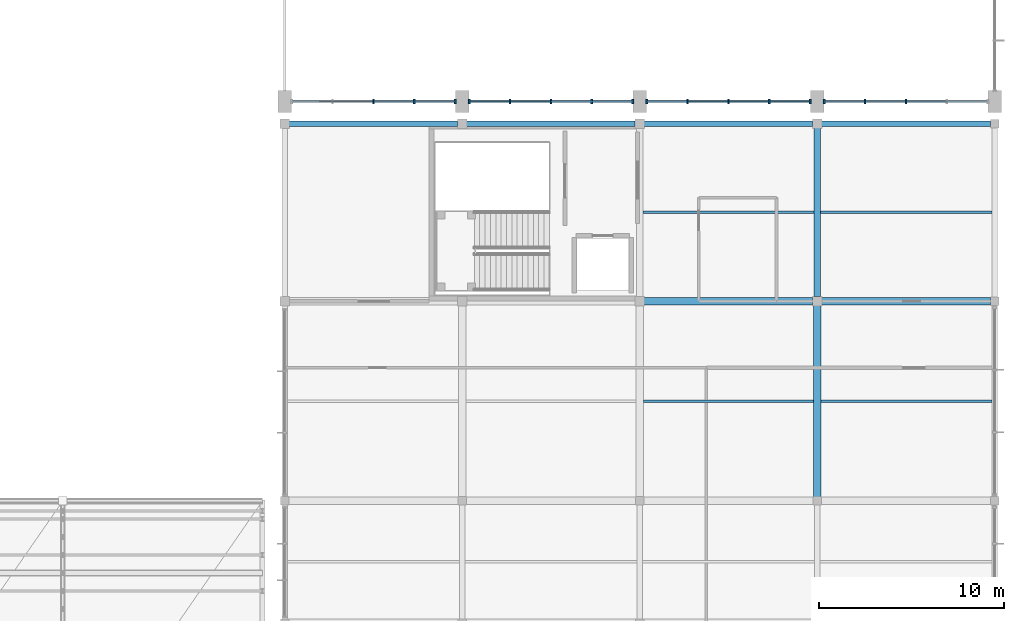
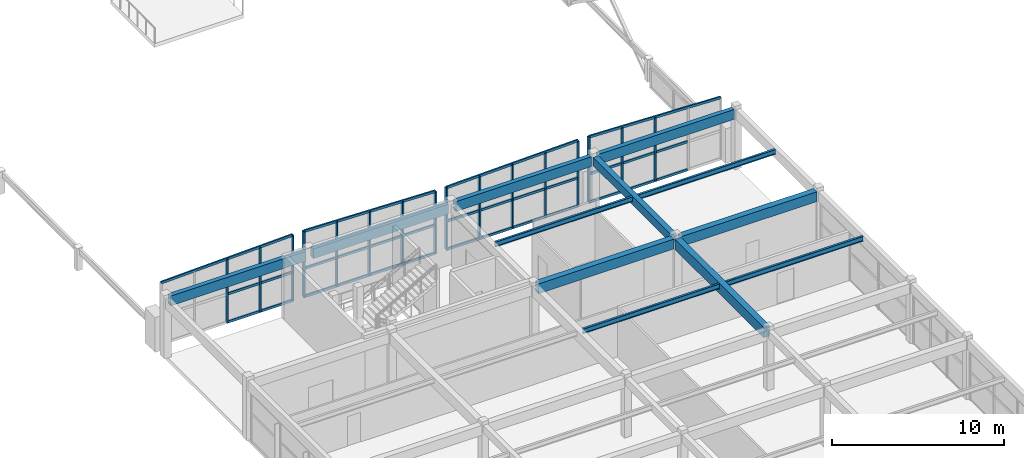
# One storey, part 40 of 89: 46 members, 12 beams, 4 elements without a shape of their own.
"""IFC4 building model written with IfcOpenShell, lengths in metres."""

from ifc_helpers import new_model, si_unit, direction, frame, origin, origin_2d, place, context, subcontext, project, spatial, rectangle, i_section, extrude, material, material_profile, profile_set, type_object, element, aggregate, save


model = new_model("IFC4")

# Units and contexts
model_context = context("Model", 3, precision=1e-05, world=origin(), true_north=direction((0.0, 1.0)))
body_context = subcontext(model_context, "Body", "Model", "MODEL_VIEW")
ifc_project = project(units=[si_unit("LENGTHUNIT", "METRE"), si_unit("AREAUNIT", "SQUARE_METRE"), si_unit("VOLUMEUNIT", "CUBIC_METRE"), si_unit("PLANEANGLEUNIT", "RADIAN"), si_unit("MASSUNIT", "GRAM", prefix="KILO")], contexts=[model_context])

# Site, building, storey
site_placement = place(None, origin())
site = spatial("IfcSite", under=ifc_project, at=site_placement, CompositionType="ELEMENT")
building_placement = place(site_placement, origin())
building = spatial("IfcBuilding", under=site, at=building_placement, Name="Suirenkawa Promenade Aquatics Centre", CompositionType="ELEMENT")
storey_placement = place(building_placement, frame((0.0, 0.0, 9.60009765625)))
storey = spatial("IfcBuildingStorey", under=building, at=storey_placement, Name="L02", CompositionType="ELEMENT", Elevation=9.60009765625)

# Beams
ifc_material_1 = material(Name="Steel IS 2062 E350 (Grade 350)", Category="steel")
ifc_material_profile_1 = material_profile(ifc_material_1, i_section(OverallWidth=0.139892578125, OverallDepth=0.35009765625, WebThickness=0.008056640625, FlangeThickness=0.013916015625, at=origin_2d()), Name="ISMB 350", Category="steel")
ifc_profile_set_1 = profile_set([ifc_material_profile_1], Name="Steel IS 2062 E350 (Grade 350)")
beam_type_1 = type_object("IfcBeamType", Name="BT-JOIST-ISMB350", PredefinedType="JOIST", material=ifc_profile_set_1)
beam_1_placement = place(storey_placement, frame((175.39404296875, 34.199951171875, 4.072998046875), z_axis=(1.0, 0.0, 0.0), x_axis=(0.0, 1.0, 0.0)))
element("IfcBeam", 1, at=beam_1_placement, inside=storey, type_object=beam_type_1, Name="Secondary floor joist JS-03 BM-1788", PredefinedType="JOIST", context=body_context, shape_type="SweptSolid", body=[
    extrude(i_section(OverallWidth=0.139892578125, OverallDepth=0.35009765625, WebThickness=0.008056640625, FlangeThickness=0.013916015625, at=origin_2d()), origin(), (0.0, 0.0, 1.0), 9.2119140625),
])
for number, where, z_axis, x_axis, name in (
    (2, (175.368896484375, 44.39990234375, 4.072998046875), (1.0, 0.0, 0.0), (0.0, 1.0, 0.0), "Secondary floor joist JS-03 BM-1789"),
    (3, (184.993896484375, 34.199951171875, 4.072998046875), (1.0, 0.0, 0.0), (0.0, 1.0, 0.0), "Secondary floor joist JS-03 BM-1792"),
):
    element("IfcBeam", number, at=place(storey_placement, frame(where, z_axis=z_axis, x_axis=x_axis)), inside=storey, type_object=beam_type_1, Name=name, PredefinedType="JOIST", context=body_context, shape_type="SweptSolid", body=[
        extrude(i_section(OverallWidth=0.139892578125, OverallDepth=0.35009765625, WebThickness=0.008056640625, FlangeThickness=0.013916015625, at=origin_2d()), origin(), (0.0, 0.0, 1.0), 9.26220703125),
    ])
beam_2_placement = place(storey_placement, frame((184.968994140625, 44.39990234375, 4.072998046875), z_axis=(1.0, 0.0, 0.0), x_axis=(0.0, 1.0, 0.0)))
element("IfcBeam", 4, at=beam_2_placement, inside=storey, type_object=beam_type_1, Name="Secondary floor joist JS-03 BM-1793", PredefinedType="JOIST", context=body_context, shape_type="SweptSolid", body=[
    extrude(i_section(OverallWidth=0.139892578125, OverallDepth=0.35009765625, WebThickness=0.008056640625, FlangeThickness=0.013916015625, at=origin_2d()), origin(), (0.0, 0.0, 1.0), 9.287109375),
])
ifc_material_2 = material(Name="Concrete M35", Category="concrete")
ifc_material_profile_2 = material_profile(ifc_material_2, rectangle(XDim=0.35009765625, YDim=0.60009765625, at=origin_2d()), Name="RC BM 350x600", Category="concrete")
ifc_profile_set_2 = profile_set([ifc_material_profile_2], Name="Concrete M35")
beam_type_2 = type_object("IfcBeamType", Name="BT-RC-350x600", PredefinedType="BEAM", material=ifc_profile_set_2)
beam_3_placement = place(storey_placement, frame((184.800048828125, 39.843994140625, 3.949951171875), z_axis=(0.0, 1.0, 0.0), x_axis=(-1.0, 0.0, 0.0)))
element("IfcBeam", 5, at=beam_3_placement, inside=storey, type_object=beam_type_2, Name="Floor beam BM-02 BM-1775", PredefinedType="BEAM", context=body_context, shape_type="SweptSolid", body=[
    extrude(rectangle(XDim=0.35009765625, YDim=0.60009765625, at=origin_2d()), origin(), (0.0, 0.0, 1.0), 9.112060546875),
])
ifc_material_profile_3 = material_profile(ifc_material_2, rectangle(XDim=0.39990234375, YDim=0.699951171875, at=origin_2d()), Name="RC BM 400x700", Category="concrete")
ifc_profile_set_3 = profile_set([ifc_material_profile_3], Name="Concrete M35")
beam_type_3 = type_object("IfcBeamType", Name="BT-RC-400x700", PredefinedType="BEAM", material=ifc_profile_set_3)
beam_4_placement = place(storey_placement, frame((175.444091796875, 39.60009765625, 3.89990234375), z_axis=(1.0, 0.0, 0.0), x_axis=(0.0, 1.0, 0.0)))
element("IfcBeam", 6, at=beam_4_placement, inside=storey, type_object=beam_type_3, Name="Floor beam BM-04 BM-1755", PredefinedType="BEAM", context=body_context, shape_type="SweptSolid", body=[
    extrude(rectangle(XDim=0.39990234375, YDim=0.699951171875, at=origin_2d()), origin(), (0.0, 0.0, 1.0), 9.11181640625),
])
beam_5_placement = place(storey_placement, frame((185.0439453125, 39.60009765625, 3.89990234375), z_axis=(1.0, 0.0, 0.0), x_axis=(0.0, 1.0, 0.0)))
element("IfcBeam", 7, at=beam_5_placement, inside=storey, type_object=beam_type_3, Name="Floor beam BM-04 BM-1756", PredefinedType="BEAM", context=body_context, shape_type="SweptSolid", body=[
    extrude(rectangle(XDim=0.39990234375, YDim=0.699951171875, at=origin_2d()), origin(), (0.0, 0.0, 1.0), 9.136962890625),
])
ifc_material_3 = material(Name="Concrete M40", Category="concrete")
ifc_material_profile_4 = material_profile(ifc_material_3, rectangle(XDim=0.39990234375, YDim=0.75, at=origin_2d()), Name="RC BM 400x750", Category="concrete")
ifc_profile_set_4 = profile_set([ifc_material_profile_4], Name="Concrete M40")
beam_type_4 = type_object("IfcBeamType", Name="BT-RC-400x750", PredefinedType="BEAM", material=ifc_profile_set_4)
beam_6_placement = place(storey_placement, frame((184.800048828125, 29.01904296875, 3.875), z_axis=(0.0, 1.0, 0.0), x_axis=(-1.0, 0.0, 0.0)))
element("IfcBeam", 8, at=beam_6_placement, inside=storey, type_object=beam_type_4, Name="Floor beam BM-05 BM-1774", PredefinedType="BEAM", context=body_context, shape_type="SweptSolid", body=[
    extrude(rectangle(XDim=0.39990234375, YDim=0.75, at=origin_2d()), origin(), (0.0, 0.0, 1.0), 10.3369140625),
])
ifc_material_profile_5 = material_profile(ifc_material_3, rectangle(XDim=0.300048828125, YDim=0.699951171875, at=origin_2d()), Name="RC SPANDREL 300x700", Category="concrete")
ifc_profile_set_5 = profile_set([ifc_material_profile_5], Name="Concrete M40")
beam_type_5 = type_object("IfcBeamType", Name="BT-SPANDREL-300x700", PredefinedType="SPANDREL", material=ifc_profile_set_5)
for number, where, z_axis, x_axis, name in (
    (9, (156.243896484375, 49.199951171875, 3.89990234375), (1.0, 0.0, 0.0), (0.0, 1.0, 0.0), "Floor beam SP-01 BM-1757"),
    (10, (165.843994140625, 49.199951171875, 3.89990234375), (1.0, 0.0, 0.0), (0.0, 1.0, 0.0), "Floor beam SP-01 BM-1758"),
):
    element("IfcBeam", number, at=place(storey_placement, frame(where, z_axis=z_axis, x_axis=x_axis)), inside=storey, type_object=beam_type_5, Name=name, PredefinedType="SPANDREL", context=body_context, shape_type="SweptSolid", body=[
        extrude(rectangle(XDim=0.300048828125, YDim=0.699951171875, at=origin_2d()), origin(), (0.0, 0.0, 1.0), 9.112060546875),
    ])
beam_7_placement = place(storey_placement, frame((175.444091796875, 49.199951171875, 3.89990234375), z_axis=(1.0, 0.0, 0.0), x_axis=(0.0, 1.0, 0.0)))
element("IfcBeam", 11, at=beam_7_placement, inside=storey, type_object=beam_type_5, Name="Floor beam SP-01 BM-1759", PredefinedType="SPANDREL", context=body_context, shape_type="SweptSolid", body=[
    extrude(rectangle(XDim=0.300048828125, YDim=0.699951171875, at=origin_2d()), origin(), (0.0, 0.0, 1.0), 9.11181640625),
])
beam_8_placement = place(storey_placement, frame((185.0439453125, 49.199951171875, 3.89990234375), z_axis=(1.0, 0.0, 0.0), x_axis=(0.0, 1.0, 0.0)))
element("IfcBeam", 12, at=beam_8_placement, inside=storey, type_object=beam_type_5, Name="Floor beam SP-01 BM-1760", PredefinedType="SPANDREL", context=body_context, shape_type="SweptSolid", body=[
    extrude(rectangle(XDim=0.300048828125, YDim=0.699951171875, at=origin_2d()), origin(), (0.0, 0.0, 1.0), 9.136962890625),
])

# Curtain wall, members
ifc_material_4 = material(Name="Anodised aluminium 6063-T6", Category="aluminium")
curtain_wall_type = type_object("IfcCurtainWallType", Name="CWAT-V2S-16", PredefinedType="NOTDEFINED", material=ifc_material_4)
curtain_wall_1_placement = place(storey_placement, origin())
curtain_wall_1 = element("IfcCurtainWall", 13, at=curtain_wall_1_placement, inside=storey, type_object=curtain_wall_type, Name="Curtain wall CWA-16 CW-035", PredefinedType="NOTDEFINED")
ifc_material_profile_6 = material_profile(ifc_material_4, rectangle(XDim=0.10009765625, YDim=0.219970703125, at=origin_2d()), Name="ALU MULL 100x220", Category="aluminium")
ifc_profile_set_6 = profile_set([ifc_material_profile_6], Name="Anodised aluminium 6063-T6")
member_type_1 = type_object("IfcMemberType", Name="CWM-220x100", PredefinedType="MULLION", material=ifc_profile_set_6)
member_1_placement = place(storey_placement, frame((165.22607421875, 50.39990234375, 0.0), z_axis=(0.0, 0.0, 1.0), x_axis=(-1.0, 0.0, 0.0)))
member_1 = element("IfcMember", 14, at=member_1_placement, type_object=member_type_1, Name="Mullion ML-01 CWM-00717", PredefinedType="MULLION", context=body_context, shape_type="SweptSolid", body=[
    extrude(rectangle(XDim=0.10009765625, YDim=0.219970703125, at=origin_2d()), origin(), (0.0, 0.0, 1.0), 4.64990234375),
])
member_2_placement = place(storey_placement, frame((163.012939453125, 50.39990234375, 0.0), z_axis=(0.0, 0.0, 1.0), x_axis=(-1.0, 0.0, 0.0)))
member_2 = element("IfcMember", 15, at=member_2_placement, type_object=member_type_1, Name="Mullion ML-01 CWM-00718", PredefinedType="MULLION", context=body_context, shape_type="SweptSolid", body=[
    extrude(rectangle(XDim=0.10009765625, YDim=0.219970703125, at=origin_2d()), origin(), (0.0, 0.0, 1.0), 4.574951171875),
])
member_3_placement = place(storey_placement, frame((160.800048828125, 50.39990234375, 0.0), z_axis=(0.0, 0.0, 1.0), x_axis=(-1.0, 0.0, 0.0)))
member_3 = element("IfcMember", 16, at=member_3_placement, type_object=member_type_1, Name="Mullion ML-01 CWM-00719", PredefinedType="MULLION", context=body_context, shape_type="SweptSolid", body=[
    extrude(rectangle(XDim=0.10009765625, YDim=0.219970703125, at=origin_2d()), origin(), (0.0, 0.0, 1.0), 4.5),
])

curtain_wall_2_placement = place(storey_placement, origin())
curtain_wall_2 = element("IfcCurtainWall", 17, at=curtain_wall_2_placement, inside=storey, type_object=curtain_wall_type, Name="Curtain wall CWA-16 CW-039", PredefinedType="NOTDEFINED")
member_4_placement = place(storey_placement, frame((174.825927734375, 50.39990234375, 0.0), z_axis=(0.0, 0.0, 1.0), x_axis=(-1.0, 0.0, 0.0)))
member_4 = element("IfcMember", 18, at=member_4_placement, type_object=member_type_1, Name="Mullion ML-01 CWM-00795", PredefinedType="MULLION", context=body_context, shape_type="SweptSolid", body=[
    extrude(rectangle(XDim=0.10009765625, YDim=0.219970703125, at=origin_2d()), origin(), (0.0, 0.0, 1.0), 4.39990234375),
])
member_5_placement = place(storey_placement, frame((172.613037109375, 50.39990234375, 0.0), z_axis=(0.0, 0.0, 1.0), x_axis=(-1.0, 0.0, 0.0)))
member_5 = element("IfcMember", 19, at=member_5_placement, type_object=member_type_1, Name="Mullion ML-01 CWM-00796", PredefinedType="MULLION", context=body_context, shape_type="SweptSolid", body=[
    extrude(rectangle(XDim=0.10009765625, YDim=0.219970703125, at=origin_2d()), origin(), (0.0, 0.0, 1.0), 4.46240234375),
])
member_6_placement = place(storey_placement, frame((170.39990234375, 50.39990234375, 0.0), z_axis=(0.0, 0.0, 1.0), x_axis=(-1.0, 0.0, 0.0)))
member_6 = element("IfcMember", 20, at=member_6_placement, type_object=member_type_1, Name="Mullion ML-01 CWM-00797", PredefinedType="MULLION", context=body_context, shape_type="SweptSolid", body=[
    extrude(rectangle(XDim=0.10009765625, YDim=0.219970703125, at=origin_2d()), origin(), (0.0, 0.0, 1.0), 4.52490234375),
])
member_7_placement = place(storey_placement, frame((168.18701171875, 50.39990234375, 0.0), z_axis=(0.0, 0.0, 1.0), x_axis=(-1.0, 0.0, 0.0)))
member_7 = element("IfcMember", 21, at=member_7_placement, type_object=member_type_1, Name="Mullion ML-01 CWM-00798", PredefinedType="MULLION", context=body_context, shape_type="SweptSolid", body=[
    extrude(rectangle(XDim=0.10009765625, YDim=0.219970703125, at=origin_2d()), origin(), (0.0, 0.0, 1.0), 4.58740234375),
])
member_8_placement = place(storey_placement, frame((165.97412109375, 50.39990234375, 0.0), z_axis=(0.0, 0.0, 1.0), x_axis=(-1.0, 0.0, 0.0)))
member_8 = element("IfcMember", 22, at=member_8_placement, type_object=member_type_1, Name="Mullion ML-01 CWM-00799", PredefinedType="MULLION", context=body_context, shape_type="SweptSolid", body=[
    extrude(rectangle(XDim=0.10009765625, YDim=0.219970703125, at=origin_2d()), origin(), (0.0, 0.0, 1.0), 4.64990234375),
])

curtain_wall_3_placement = place(storey_placement, origin())
curtain_wall_3 = element("IfcCurtainWall", 23, at=curtain_wall_3_placement, inside=storey, type_object=curtain_wall_type, Name="Curtain wall CWA-16 CW-041", PredefinedType="NOTDEFINED")
member_9_placement = place(storey_placement, frame((184.426025390625, 50.39990234375, 0.0), z_axis=(0.0, 0.0, 1.0), x_axis=(-1.0, 0.0, 0.0)))
member_9 = element("IfcMember", 24, at=member_9_placement, type_object=member_type_1, Name="Mullion ML-01 CWM-00839", PredefinedType="MULLION", context=body_context, shape_type="SweptSolid", body=[
    extrude(rectangle(XDim=0.10009765625, YDim=0.219970703125, at=origin_2d()), origin(), (0.0, 0.0, 1.0), 4.64990234375),
])
member_10_placement = place(storey_placement, frame((182.212890625, 50.39990234375, 0.0), z_axis=(0.0, 0.0, 1.0), x_axis=(-1.0, 0.0, 0.0)))
member_10 = element("IfcMember", 25, at=member_10_placement, type_object=member_type_1, Name="Mullion ML-01 CWM-00840", PredefinedType="MULLION", context=body_context, shape_type="SweptSolid", body=[
    extrude(rectangle(XDim=0.10009765625, YDim=0.219970703125, at=origin_2d()), origin(), (0.0, 0.0, 1.0), 4.58740234375),
])
member_11_placement = place(storey_placement, frame((180.0, 50.39990234375, 0.0), z_axis=(0.0, 0.0, 1.0), x_axis=(-1.0, 0.0, 0.0)))
member_11 = element("IfcMember", 26, at=member_11_placement, type_object=member_type_1, Name="Mullion ML-01 CWM-00841", PredefinedType="MULLION", context=body_context, shape_type="SweptSolid", body=[
    extrude(rectangle(XDim=0.10009765625, YDim=0.219970703125, at=origin_2d()), origin(), (0.0, 0.0, 1.0), 4.52490234375),
])
member_12_placement = place(storey_placement, frame((177.787109375, 50.39990234375, 0.0), z_axis=(0.0, 0.0, 1.0), x_axis=(-1.0, 0.0, 0.0)))
member_12 = element("IfcMember", 27, at=member_12_placement, type_object=member_type_1, Name="Mullion ML-01 CWM-00842", PredefinedType="MULLION", context=body_context, shape_type="SweptSolid", body=[
    extrude(rectangle(XDim=0.10009765625, YDim=0.219970703125, at=origin_2d()), origin(), (0.0, 0.0, 1.0), 4.46240234375),
])
member_13_placement = place(storey_placement, frame((175.573974609375, 50.39990234375, 0.0), z_axis=(0.0, 0.0, 1.0), x_axis=(-1.0, 0.0, 0.0)))
member_13 = element("IfcMember", 28, at=member_13_placement, type_object=member_type_1, Name="Mullion ML-01 CWM-00843", PredefinedType="MULLION", context=body_context, shape_type="SweptSolid", body=[
    extrude(rectangle(XDim=0.10009765625, YDim=0.219970703125, at=origin_2d()), origin(), (0.0, 0.0, 1.0), 4.39990234375),
])

curtain_wall_4_placement = place(storey_placement, origin())
curtain_wall_4 = element("IfcCurtainWall", 29, at=curtain_wall_4_placement, inside=storey, type_object=curtain_wall_type, Name="Curtain wall CWA-16 CW-045", PredefinedType="NOTDEFINED")
member_14_placement = place(storey_placement, frame((189.60009765625, 50.39990234375, 0.0), z_axis=(0.0, 0.0, 1.0), x_axis=(-1.0, 0.0, 0.0)))
member_14 = element("IfcMember", 30, at=member_14_placement, type_object=member_type_1, Name="Mullion ML-01 CWM-00919", PredefinedType="MULLION", context=body_context, shape_type="SweptSolid", body=[
    extrude(rectangle(XDim=0.10009765625, YDim=0.219970703125, at=origin_2d()), origin(), (0.0, 0.0, 1.0), 4.5),
])
member_15_placement = place(storey_placement, frame((187.386962890625, 50.39990234375, 0.0), z_axis=(0.0, 0.0, 1.0), x_axis=(-1.0, 0.0, 0.0)))
member_15 = element("IfcMember", 31, at=member_15_placement, type_object=member_type_1, Name="Mullion ML-01 CWM-00920", PredefinedType="MULLION", context=body_context, shape_type="SweptSolid", body=[
    extrude(rectangle(XDim=0.10009765625, YDim=0.219970703125, at=origin_2d()), origin(), (0.0, 0.0, 1.0), 4.574951171875),
])
member_16_placement = place(storey_placement, frame((185.174072265625, 50.39990234375, 0.0), z_axis=(0.0, 0.0, 1.0), x_axis=(-1.0, 0.0, 0.0)))
member_16 = element("IfcMember", 32, at=member_16_placement, type_object=member_type_1, Name="Mullion ML-01 CWM-00921", PredefinedType="MULLION", context=body_context, shape_type="SweptSolid", body=[
    extrude(rectangle(XDim=0.10009765625, YDim=0.219970703125, at=origin_2d()), origin(), (0.0, 0.0, 1.0), 4.64990234375),
])

# Member
ifc_material_profile_7 = material_profile(ifc_material_4, rectangle(XDim=0.10009765625, YDim=0.169921875, at=origin_2d()), Name="ALU TRAN 100x170", Category="aluminium")
ifc_profile_set_7 = profile_set([ifc_material_profile_7], Name="Anodised aluminium 6063-T6")
member_type_2 = type_object("IfcMemberType", Name="CWT-170x100", PredefinedType="USERDEFINED", material=ifc_profile_set_7)
member_17_placement = place(storey_placement, frame((165.22607421875, 50.39990234375, 0.0), z_axis=(-1.0, 0.0, 0.0), x_axis=(0.0, -1.0, 0.0)))
member_17 = element("IfcMember", 33, at=member_17_placement, type_object=member_type_2, Name="Transom TR-01 CWT-00722", ObjectType="TRANSOM", PredefinedType="USERDEFINED", context=body_context, shape_type="SweptSolid", body=[
    extrude(rectangle(XDim=0.10009765625, YDim=0.169921875, at=origin_2d()), origin(), (0.0, 0.0, 1.0), 2.213134765625),
])

member_18_placement = place(storey_placement, frame((163.012939453125, 50.39990234375, 0.0), z_axis=(-1.0, 0.0, 0.0), x_axis=(0.0, -1.0, 0.0)))
member_18 = element("IfcMember", 34, at=member_18_placement, type_object=member_type_2, Name="Transom TR-01 CWT-00723", ObjectType="TRANSOM", PredefinedType="USERDEFINED", context=body_context, shape_type="SweptSolid", body=[
    extrude(rectangle(XDim=0.10009765625, YDim=0.169921875, at=origin_2d()), origin(), (0.0, 0.0, 1.0), 2.212890625),
])

member_19_placement = place(storey_placement, frame((165.22607421875, 50.39990234375, 2.0), z_axis=(-1.0, 0.0, 0.0), x_axis=(0.0, -1.0, 0.0)))
member_19 = element("IfcMember", 35, at=member_19_placement, type_object=member_type_2, Name="Transom TR-01 CWT-00726", ObjectType="TRANSOM", PredefinedType="USERDEFINED", context=body_context, shape_type="SweptSolid", body=[
    extrude(rectangle(XDim=0.10009765625, YDim=0.169921875, at=origin_2d()), origin(), (0.0, 0.0, 1.0), 2.213134765625),
])

member_20_placement = place(storey_placement, frame((163.012939453125, 50.39990234375, 2.0), z_axis=(-1.0, 0.0, 0.0), x_axis=(0.0, -1.0, 0.0)))
member_20 = element("IfcMember", 36, at=member_20_placement, type_object=member_type_2, Name="Transom TR-01 CWT-00727", ObjectType="TRANSOM", PredefinedType="USERDEFINED", context=body_context, shape_type="SweptSolid", body=[
    extrude(rectangle(XDim=0.10009765625, YDim=0.169921875, at=origin_2d()), origin(), (0.0, 0.0, 1.0), 2.212890625),
])

member_21_placement = place(storey_placement, frame((165.22607421875, 50.39990234375, 4.64990234375), z_axis=(-0.999426026231, 0.0, -0.03387651239), x_axis=(0.0, -1.0, 0.0)))
member_21 = element("IfcMember", 37, at=member_21_placement, type_object=member_type_2, Name="Roofline transom TR-01 CWT-00730", ObjectType="TRANSOM", PredefinedType="USERDEFINED", context=body_context, shape_type="SweptSolid", body=[
    extrude(rectangle(XDim=0.10009765625, YDim=0.169921875, at=origin_2d()), origin(), (0.0, 0.0, 1.0), 8.857177734375),
])

aggregate(curtain_wall_1, [member_1, member_2, member_3, member_17, member_18, member_19, member_20, member_21])

member_22_placement = place(storey_placement, frame((174.825927734375, 50.39990234375, 0.0), z_axis=(-1.0, 0.0, 0.0), x_axis=(0.0, -1.0, 0.0)))
member_22 = element("IfcMember", 38, at=member_22_placement, type_object=member_type_2, Name="Transom TR-01 CWT-00800", ObjectType="TRANSOM", PredefinedType="USERDEFINED", context=body_context, shape_type="SweptSolid", body=[
    extrude(rectangle(XDim=0.10009765625, YDim=0.169921875, at=origin_2d()), origin(), (0.0, 0.0, 1.0), 2.212890625),
])

member_23_placement = place(storey_placement, frame((172.613037109375, 50.39990234375, 0.0), z_axis=(-1.0, 0.0, 0.0), x_axis=(0.0, -1.0, 0.0)))
member_23 = element("IfcMember", 39, at=member_23_placement, type_object=member_type_2, Name="Transom TR-01 CWT-00801", ObjectType="TRANSOM", PredefinedType="USERDEFINED", context=body_context, shape_type="SweptSolid", body=[
    extrude(rectangle(XDim=0.10009765625, YDim=0.169921875, at=origin_2d()), origin(), (0.0, 0.0, 1.0), 2.213134765625),
])

member_24_placement = place(storey_placement, frame((170.39990234375, 50.39990234375, 0.0), z_axis=(-1.0, 0.0, 0.0), x_axis=(0.0, -1.0, 0.0)))
member_24 = element("IfcMember", 40, at=member_24_placement, type_object=member_type_2, Name="Transom TR-01 CWT-00802", ObjectType="TRANSOM", PredefinedType="USERDEFINED", context=body_context, shape_type="SweptSolid", body=[
    extrude(rectangle(XDim=0.10009765625, YDim=0.169921875, at=origin_2d()), origin(), (0.0, 0.0, 1.0), 2.212890625),
])

member_25_placement = place(storey_placement, frame((168.18701171875, 50.39990234375, 0.0), z_axis=(-1.0, 0.0, 0.0), x_axis=(0.0, -1.0, 0.0)))
member_25 = element("IfcMember", 41, at=member_25_placement, type_object=member_type_2, Name="Transom TR-01 CWT-00803", ObjectType="TRANSOM", PredefinedType="USERDEFINED", context=body_context, shape_type="SweptSolid", body=[
    extrude(rectangle(XDim=0.10009765625, YDim=0.169921875, at=origin_2d()), origin(), (0.0, 0.0, 1.0), 2.212890625),
])

member_26_placement = place(storey_placement, frame((174.825927734375, 50.39990234375, 2.0), z_axis=(-1.0, 0.0, 0.0), x_axis=(0.0, -1.0, 0.0)))
member_26 = element("IfcMember", 42, at=member_26_placement, type_object=member_type_2, Name="Transom TR-01 CWT-00804", ObjectType="TRANSOM", PredefinedType="USERDEFINED", context=body_context, shape_type="SweptSolid", body=[
    extrude(rectangle(XDim=0.10009765625, YDim=0.169921875, at=origin_2d()), origin(), (0.0, 0.0, 1.0), 2.212890625),
])

member_27_placement = place(storey_placement, frame((172.613037109375, 50.39990234375, 2.0), z_axis=(-1.0, 0.0, 0.0), x_axis=(0.0, -1.0, 0.0)))
member_27 = element("IfcMember", 43, at=member_27_placement, type_object=member_type_2, Name="Transom TR-01 CWT-00805", ObjectType="TRANSOM", PredefinedType="USERDEFINED", context=body_context, shape_type="SweptSolid", body=[
    extrude(rectangle(XDim=0.10009765625, YDim=0.169921875, at=origin_2d()), origin(), (0.0, 0.0, 1.0), 2.213134765625),
])

member_28_placement = place(storey_placement, frame((170.39990234375, 50.39990234375, 2.0), z_axis=(-1.0, 0.0, 0.0), x_axis=(0.0, -1.0, 0.0)))
member_28 = element("IfcMember", 44, at=member_28_placement, type_object=member_type_2, Name="Transom TR-01 CWT-00806", ObjectType="TRANSOM", PredefinedType="USERDEFINED", context=body_context, shape_type="SweptSolid", body=[
    extrude(rectangle(XDim=0.10009765625, YDim=0.169921875, at=origin_2d()), origin(), (0.0, 0.0, 1.0), 2.212890625),
])

member_29_placement = place(storey_placement, frame((168.18701171875, 50.39990234375, 2.0), z_axis=(-1.0, 0.0, 0.0), x_axis=(0.0, -1.0, 0.0)))
member_29 = element("IfcMember", 45, at=member_29_placement, type_object=member_type_2, Name="Transom TR-01 CWT-00807", ObjectType="TRANSOM", PredefinedType="USERDEFINED", context=body_context, shape_type="SweptSolid", body=[
    extrude(rectangle(XDim=0.10009765625, YDim=0.169921875, at=origin_2d()), origin(), (0.0, 0.0, 1.0), 2.212890625),
])

member_30_placement = place(storey_placement, frame((174.825927734375, 50.39990234375, 4.39990234375), z_axis=(-0.999601409938, 0.0, 0.028231564768), x_axis=(0.0, -1.0, 0.0)))
member_30 = element("IfcMember", 46, at=member_30_placement, type_object=member_type_2, Name="Roofline transom TR-01 CWT-00808", ObjectType="TRANSOM", PredefinedType="USERDEFINED", context=body_context, shape_type="SweptSolid", body=[
    extrude(rectangle(XDim=0.10009765625, YDim=0.169921875, at=origin_2d()), origin(), (0.0, 0.0, 1.0), 8.855224609375),
])

aggregate(curtain_wall_2, [member_4, member_5, member_6, member_7, member_8, member_22, member_23, member_24, member_25, member_26, member_27, member_28, member_29, member_30])

member_31_placement = place(storey_placement, frame((184.426025390625, 50.39990234375, 0.0), z_axis=(-1.0, 0.0, 0.0), x_axis=(0.0, -1.0, 0.0)))
member_31 = element("IfcMember", 47, at=member_31_placement, type_object=member_type_2, Name="Transom TR-01 CWT-00844", ObjectType="TRANSOM", PredefinedType="USERDEFINED", context=body_context, shape_type="SweptSolid", body=[
    extrude(rectangle(XDim=0.10009765625, YDim=0.169921875, at=origin_2d()), origin(), (0.0, 0.0, 1.0), 2.213134765625),
])

member_32_placement = place(storey_placement, frame((182.212890625, 50.39990234375, 0.0), z_axis=(-1.0, 0.0, 0.0), x_axis=(0.0, -1.0, 0.0)))
member_32 = element("IfcMember", 48, at=member_32_placement, type_object=member_type_2, Name="Transom TR-01 CWT-00845", ObjectType="TRANSOM", PredefinedType="USERDEFINED", context=body_context, shape_type="SweptSolid", body=[
    extrude(rectangle(XDim=0.10009765625, YDim=0.169921875, at=origin_2d()), origin(), (0.0, 0.0, 1.0), 2.212890625),
])

member_33_placement = place(storey_placement, frame((180.0, 50.39990234375, 0.0), z_axis=(-1.0, 0.0, 0.0), x_axis=(0.0, -1.0, 0.0)))
member_33 = element("IfcMember", 49, at=member_33_placement, type_object=member_type_2, Name="Transom TR-01 CWT-00846", ObjectType="TRANSOM", PredefinedType="USERDEFINED", context=body_context, shape_type="SweptSolid", body=[
    extrude(rectangle(XDim=0.10009765625, YDim=0.169921875, at=origin_2d()), origin(), (0.0, 0.0, 1.0), 2.212890625),
])

member_34_placement = place(storey_placement, frame((177.787109375, 50.39990234375, 0.0), z_axis=(-1.0, 0.0, 0.0), x_axis=(0.0, -1.0, 0.0)))
member_34 = element("IfcMember", 50, at=member_34_placement, type_object=member_type_2, Name="Transom TR-01 CWT-00847", ObjectType="TRANSOM", PredefinedType="USERDEFINED", context=body_context, shape_type="SweptSolid", body=[
    extrude(rectangle(XDim=0.10009765625, YDim=0.169921875, at=origin_2d()), origin(), (0.0, 0.0, 1.0), 2.213134765625),
])

member_35_placement = place(storey_placement, frame((184.426025390625, 50.39990234375, 2.0), z_axis=(-1.0, 0.0, 0.0), x_axis=(0.0, -1.0, 0.0)))
member_35 = element("IfcMember", 51, at=member_35_placement, type_object=member_type_2, Name="Transom TR-01 CWT-00848", ObjectType="TRANSOM", PredefinedType="USERDEFINED", context=body_context, shape_type="SweptSolid", body=[
    extrude(rectangle(XDim=0.10009765625, YDim=0.169921875, at=origin_2d()), origin(), (0.0, 0.0, 1.0), 2.213134765625),
])

member_36_placement = place(storey_placement, frame((182.212890625, 50.39990234375, 2.0), z_axis=(-1.0, 0.0, 0.0), x_axis=(0.0, -1.0, 0.0)))
member_36 = element("IfcMember", 52, at=member_36_placement, type_object=member_type_2, Name="Transom TR-01 CWT-00849", ObjectType="TRANSOM", PredefinedType="USERDEFINED", context=body_context, shape_type="SweptSolid", body=[
    extrude(rectangle(XDim=0.10009765625, YDim=0.169921875, at=origin_2d()), origin(), (0.0, 0.0, 1.0), 2.212890625),
])

member_37_placement = place(storey_placement, frame((180.0, 50.39990234375, 2.0), z_axis=(-1.0, 0.0, 0.0), x_axis=(0.0, -1.0, 0.0)))
member_37 = element("IfcMember", 53, at=member_37_placement, type_object=member_type_2, Name="Transom TR-01 CWT-00850", ObjectType="TRANSOM", PredefinedType="USERDEFINED", context=body_context, shape_type="SweptSolid", body=[
    extrude(rectangle(XDim=0.10009765625, YDim=0.169921875, at=origin_2d()), origin(), (0.0, 0.0, 1.0), 2.212890625),
])

member_38_placement = place(storey_placement, frame((177.787109375, 50.39990234375, 2.0), z_axis=(-1.0, 0.0, 0.0), x_axis=(0.0, -1.0, 0.0)))
member_38 = element("IfcMember", 54, at=member_38_placement, type_object=member_type_2, Name="Transom TR-01 CWT-00851", ObjectType="TRANSOM", PredefinedType="USERDEFINED", context=body_context, shape_type="SweptSolid", body=[
    extrude(rectangle(XDim=0.10009765625, YDim=0.169921875, at=origin_2d()), origin(), (0.0, 0.0, 1.0), 2.213134765625),
])

member_39_placement = place(storey_placement, frame((184.426025390625, 50.39990234375, 4.64990234375), z_axis=(-0.999601431911, 0.0, -0.028230786758), x_axis=(0.0, -1.0, 0.0)))
member_39 = element("IfcMember", 55, at=member_39_placement, type_object=member_type_2, Name="Roofline transom TR-01 CWT-00852", ObjectType="TRANSOM", PredefinedType="USERDEFINED", context=body_context, shape_type="SweptSolid", body=[
    extrude(rectangle(XDim=0.10009765625, YDim=0.169921875, at=origin_2d()), origin(), (0.0, 0.0, 1.0), 8.85546875),
])

aggregate(curtain_wall_3, [member_9, member_10, member_11, member_12, member_13, member_31, member_32, member_33, member_34, member_35, member_36, member_37, member_38, member_39])

member_40_placement = place(storey_placement, frame((191.81298828125, 50.39990234375, 0.0), z_axis=(-1.0, 0.0, 0.0), x_axis=(0.0, -1.0, 0.0)))
member_40 = element("IfcMember", 56, at=member_40_placement, type_object=member_type_2, Name="Transom TR-01 CWT-00923", ObjectType="TRANSOM", PredefinedType="USERDEFINED", context=body_context, shape_type="SweptSolid", body=[
    extrude(rectangle(XDim=0.10009765625, YDim=0.169921875, at=origin_2d()), origin(), (0.0, 0.0, 1.0), 2.212890625),
])

member_41_placement = place(storey_placement, frame((189.60009765625, 50.39990234375, 0.0), z_axis=(-1.0, 0.0, 0.0), x_axis=(0.0, -1.0, 0.0)))
member_41 = element("IfcMember", 57, at=member_41_placement, type_object=member_type_2, Name="Transom TR-01 CWT-00924", ObjectType="TRANSOM", PredefinedType="USERDEFINED", context=body_context, shape_type="SweptSolid", body=[
    extrude(rectangle(XDim=0.10009765625, YDim=0.169921875, at=origin_2d()), origin(), (0.0, 0.0, 1.0), 2.213134765625),
])

member_42_placement = place(storey_placement, frame((187.386962890625, 50.39990234375, 0.0), z_axis=(-1.0, 0.0, 0.0), x_axis=(0.0, -1.0, 0.0)))
member_42 = element("IfcMember", 58, at=member_42_placement, type_object=member_type_2, Name="Transom TR-01 CWT-00925", ObjectType="TRANSOM", PredefinedType="USERDEFINED", context=body_context, shape_type="SweptSolid", body=[
    extrude(rectangle(XDim=0.10009765625, YDim=0.169921875, at=origin_2d()), origin(), (0.0, 0.0, 1.0), 2.212890625),
])

member_43_placement = place(storey_placement, frame((191.81298828125, 50.39990234375, 2.0), z_axis=(-1.0, 0.0, 0.0), x_axis=(0.0, -1.0, 0.0)))
member_43 = element("IfcMember", 59, at=member_43_placement, type_object=member_type_2, Name="Transom TR-01 CWT-00927", ObjectType="TRANSOM", PredefinedType="USERDEFINED", context=body_context, shape_type="SweptSolid", body=[
    extrude(rectangle(XDim=0.10009765625, YDim=0.169921875, at=origin_2d()), origin(), (0.0, 0.0, 1.0), 2.212890625),
])

member_44_placement = place(storey_placement, frame((189.60009765625, 50.39990234375, 2.0), z_axis=(-1.0, 0.0, 0.0), x_axis=(0.0, -1.0, 0.0)))
member_44 = element("IfcMember", 60, at=member_44_placement, type_object=member_type_2, Name="Transom TR-01 CWT-00928", ObjectType="TRANSOM", PredefinedType="USERDEFINED", context=body_context, shape_type="SweptSolid", body=[
    extrude(rectangle(XDim=0.10009765625, YDim=0.169921875, at=origin_2d()), origin(), (0.0, 0.0, 1.0), 2.213134765625),
])

member_45_placement = place(storey_placement, frame((187.386962890625, 50.39990234375, 2.0), z_axis=(-1.0, 0.0, 0.0), x_axis=(0.0, -1.0, 0.0)))
member_45 = element("IfcMember", 61, at=member_45_placement, type_object=member_type_2, Name="Transom TR-01 CWT-00929", ObjectType="TRANSOM", PredefinedType="USERDEFINED", context=body_context, shape_type="SweptSolid", body=[
    extrude(rectangle(XDim=0.10009765625, YDim=0.169921875, at=origin_2d()), origin(), (0.0, 0.0, 1.0), 2.212890625),
])

member_46_placement = place(storey_placement, frame((194.02587890625, 50.39990234375, 4.349853515625), z_axis=(-0.999425994597, 0.0, 0.033877445662), x_axis=(0.0, -1.0, 0.0)))
member_46 = element("IfcMember", 62, at=member_46_placement, type_object=member_type_2, Name="Roofline transom TR-01 CWT-00930", ObjectType="TRANSOM", PredefinedType="USERDEFINED", context=body_context, shape_type="SweptSolid", body=[
    extrude(rectangle(XDim=0.10009765625, YDim=0.169921875, at=origin_2d()), origin(), (0.0, 0.0, 1.0), 8.85693359375),
])

aggregate(curtain_wall_4, [member_14, member_15, member_16, member_40, member_41, member_42, member_43, member_44, member_45, member_46])

save(model, "model.ifc")
